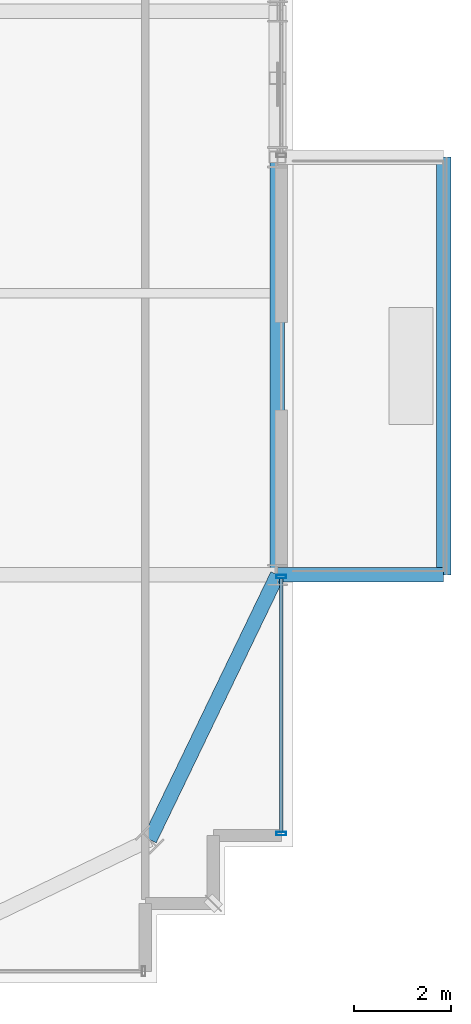
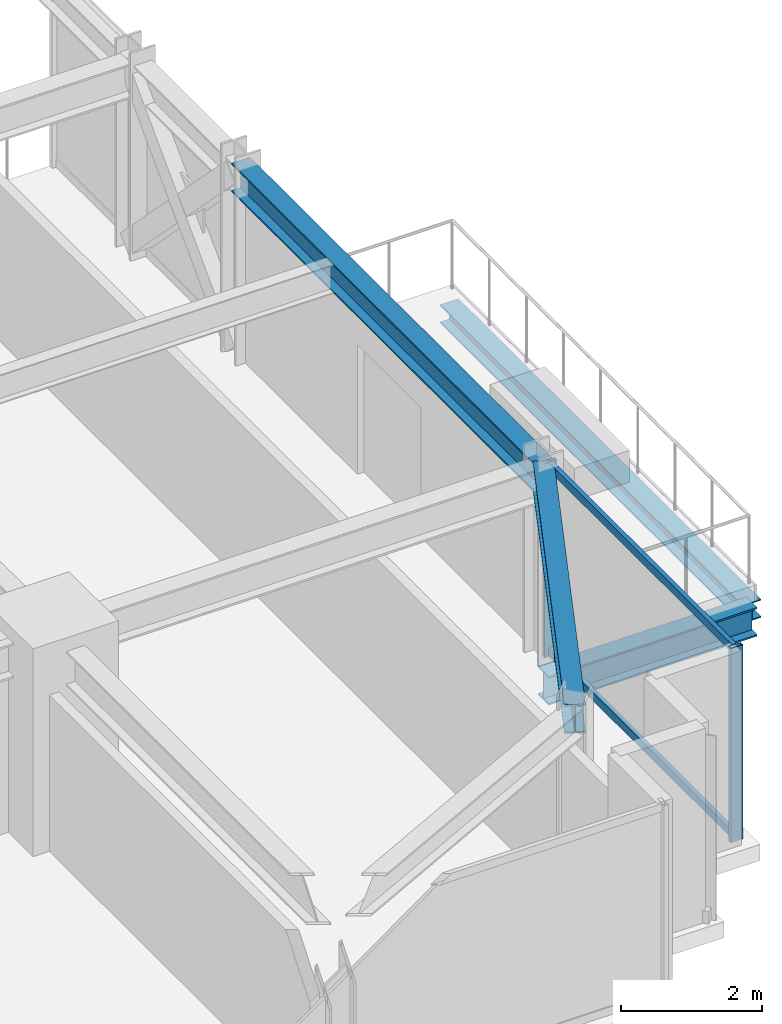
# One storey, part 18 of 47: 4 beams, 4 members, 1 element without a shape of its own.
"""IFC4 building model written with IfcOpenShell, lengths in metres."""

from ifc_helpers import new_model, si_unit, direction, frame, origin, origin_2d, place, context, subcontext, project, spatial, hollow_rectangle, i_section, extrude, source, transform, mapped, material, material_profile, profile_set, type_object, element, aggregate, save


model = new_model("IFC4")

# Units and contexts
model_context = context("Model", 3, precision=1e-05, world=origin(), true_north=direction((0.0, 1.0)))
body_context = subcontext(model_context, "Body", "Model", "MODEL_VIEW")
ifc_project = project(units=[si_unit("LENGTHUNIT", "METRE"), si_unit("AREAUNIT", "SQUARE_METRE"), si_unit("VOLUMEUNIT", "CUBIC_METRE"), si_unit("PLANEANGLEUNIT", "RADIAN"), si_unit("MASSUNIT", "GRAM", prefix="KILO")], contexts=[model_context])

# Site, building, storey
site_placement = place(None, origin())
site = spatial("IfcSite", under=ifc_project, at=site_placement, CompositionType="ELEMENT")
building_placement = place(site_placement, origin())
building = spatial("IfcBuilding", under=site, at=building_placement, Name="Nahalor Promenade Grand Hotel", CompositionType="ELEMENT")
storey_placement = place(building_placement, frame((0.0, 0.0, 68.89990234375)))
storey = spatial("IfcBuildingStorey", under=building, at=storey_placement, Name="L16", CompositionType="ELEMENT", Elevation=68.89990234375)

# Beams
ifc_material_1 = material(Name="Steel S355JR", Category="steel")
ifc_material_profile_1 = material_profile(ifc_material_1, i_section(OverallWidth=0.3, OverallDepth=0.32, WebThickness=0.0115, FlangeThickness=0.0205, at=origin_2d()), Name="HEB 320")
ifc_profile_set_1 = profile_set([ifc_material_profile_1], Name="Steel S355JR")
beam_type_1 = type_object("IfcBeamType", Name="Beam-BalcEdge-HEB320", PredefinedType="SPANDREL", material=ifc_profile_set_1)
shared_shape_1 = source(origin(), body_context, "Body", "SweptSolid", [
    extrude(i_section(OverallWidth=0.3, OverallDepth=0.32, WebThickness=0.0115, FlangeThickness=0.0205, at=origin_2d()), origin(), (0.0, 0.0, 1.0), 8.60009765625),
])
beam_1_placement = place(storey_placement, frame((28.5, -17.0, -0.43994140625), z_axis=(0.0, 1.0, 0.0), x_axis=(-1.0, 0.0, 0.0)))
element("IfcBeam", 1, at=beam_1_placement, inside=storey, type_object=beam_type_1, Name="BM-L16-BC-02-F", PredefinedType="SPANDREL", context=body_context, shape_type="MappedRepresentation", body=[
    mapped(shared_shape_1, transform((0.0, 0.0, 0.0), scale=1.0)),
])
ifc_material_profile_2 = material_profile(ifc_material_1, i_section(OverallWidth=0.3, OverallDepth=0.5, WebThickness=0.0145, FlangeThickness=0.028, at=origin_2d()), Name="HEB 500")
ifc_profile_set_2 = profile_set([ifc_material_profile_2], Name="Steel S355JR")
beam_type_2 = type_object("IfcBeamType", Name="Beam-Outrigger-HEB500", PredefinedType="BEAM", material=ifc_profile_set_2)
shared_shape_2 = source(origin(), body_context, "Body", "SweptSolid", [
    extrude(i_section(OverallWidth=0.3, OverallDepth=0.5, WebThickness=0.0145, FlangeThickness=0.028, at=origin_2d()), origin(), (0.0, 0.0, 1.0), 3.419921875),
])
beam_2_placement = place(storey_placement, frame((25.080078125, -17.0, -0.52978515625), z_axis=(1.0, 0.0, 0.0), x_axis=(0.0, 1.0, 0.0)))
element("IfcBeam", 2, at=beam_2_placement, inside=storey, type_object=beam_type_2, Name="BM-L16-BC-02-1", PredefinedType="BEAM", context=body_context, shape_type="MappedRepresentation", body=[
    mapped(shared_shape_2, transform((0.0, 0.0, 0.0), scale=1.0)),
])
ifc_material_profile_3 = material_profile(ifc_material_1, i_section(OverallWidth=0.3, OverallDepth=0.5, WebThickness=0.0145, FlangeThickness=0.028, at=origin_2d()), Name="HEB 500")
ifc_profile_set_3 = profile_set([ifc_material_profile_3], Name="Steel S355JR")
beam_type_3 = type_object("IfcBeamType", Name="Beam-Spandrel-HEB500", PredefinedType="SPANDREL", material=ifc_profile_set_3)
shared_shape_3 = source(origin(), body_context, "Body", "SweptSolid", [
    extrude(i_section(OverallWidth=0.3, OverallDepth=0.5, WebThickness=0.0145, FlangeThickness=0.028, at=origin_2d()), origin(), (0.0, 0.0, 1.0), 8.60009765625),
])
beam_3_placement = place(storey_placement, frame((25.080078125, -17.0, 3.1201171875), z_axis=(0.0, 1.0, 0.0), x_axis=(-1.0, 0.0, 0.0)))
element("IfcBeam", 3, at=beam_3_placement, inside=storey, type_object=beam_type_3, Name="BM-L16-SP-E-0", PredefinedType="SPANDREL", context=body_context, shape_type="MappedRepresentation", body=[
    mapped(shared_shape_3, transform((0.0, 0.0, 0.0), scale=1.0)),
])
shared_shape_4 = source(origin(), body_context, "Body", "SweptSolid", [
    extrude(i_section(OverallWidth=0.3, OverallDepth=0.5, WebThickness=0.0145, FlangeThickness=0.028, at=origin_2d()), origin(), (0.0, 0.0, 1.0), 6.051513671875),
])
beam_4_placement = place(storey_placement, frame((22.449951171875, -22.449951171875, 3.1201171875), z_axis=(0.434630596492, 0.900608818852, 0.0), x_axis=(-0.900608818852, 0.434630596492, 0.0)))
element("IfcBeam", 4, at=beam_4_placement, inside=storey, type_object=beam_type_3, Name="BM-L16-SPC-SE-2", PredefinedType="SPANDREL", context=body_context, shape_type="MappedRepresentation", body=[
    mapped(shared_shape_4, transform((0.0, 0.0, 0.0), scale=1.0)),
])

# Curtain wall, members
ifc_material_2 = material(Name="Anodised Bronze Aluminium EN AW-6063 T6", Category="aluminium")
curtain_wall_type = type_object("IfcCurtainWallType", Name="CW3 Elliptical-Void Collar Unitised Curtain Wall", PredefinedType="USERDEFINED", material=ifc_material_2)
curtain_wall_placement = place(storey_placement, origin())
curtain_wall = element("IfcCurtainWall", 5, at=curtain_wall_placement, inside=storey, type_object=curtain_wall_type, Name="L16 Curtain Wall CW-L16-E-1", ObjectType="UNITISED_CURTAIN_WALL", PredefinedType="USERDEFINED")
ifc_material_profile_4 = material_profile(ifc_material_2, hollow_rectangle(XDim=0.07, YDim=0.14, WallThickness=0.004, at=origin_2d()), Name="CWT 70x140x4")
ifc_profile_set_4 = profile_set([ifc_material_profile_4], Name="Anodised Bronze Aluminium EN AW-6063 T6")
member_type_1 = type_object("IfcMemberType", Name="CWT3 Void Collar Transom 70x140", PredefinedType="USERDEFINED", material=ifc_profile_set_4)
shared_shape_5 = source(origin(), body_context, "Body", "SweptSolid", [
    extrude(hollow_rectangle(XDim=0.07, YDim=0.14, WallThickness=0.004, at=origin_2d()), origin(), (0.0, 0.0, 1.0), 5.219970703125),
])
member_1_placement = place(storey_placement, frame((25.159912109375, -22.2900390625, 0.070068359375), z_axis=(0.0, 1.0, 0.0), x_axis=(-1.0, 0.0, 0.0)))
member_1 = element("IfcMember", 6, at=member_1_placement, type_object=member_type_1, Name="CW-L16-E-1 Transom 0-0", ObjectType="TRANSOM", PredefinedType="USERDEFINED", context=body_context, shape_type="MappedRepresentation", body=[
    mapped(shared_shape_5, transform((0.0, 0.0, 0.0), scale=1.0)),
])
member_2_placement = place(storey_placement, frame((25.159912109375, -22.2900390625, 3.300048828125), z_axis=(0.0, 1.0, 0.0), x_axis=(-1.0, 0.0, 0.0)))
member_2 = element("IfcMember", 7, at=member_2_placement, type_object=member_type_1, Name="CW-L16-E-1 Transom 0-1", ObjectType="TRANSOM", PredefinedType="USERDEFINED", context=body_context, shape_type="MappedRepresentation", body=[
    mapped(shared_shape_5, transform((0.0, 0.0, 0.0), scale=1.0)),
])
ifc_material_profile_5 = material_profile(ifc_material_2, hollow_rectangle(XDim=0.07, YDim=0.2, WallThickness=0.005, at=origin_2d()), Name="CWM 70x200x5")
ifc_profile_set_5 = profile_set([ifc_material_profile_5], Name="Anodised Bronze Aluminium EN AW-6063 T6")
member_type_2 = type_object("IfcMemberType", Name="CWM3 Void Collar Mullion 70x200", PredefinedType="MULLION", material=ifc_profile_set_5)
shared_shape_6 = source(origin(), body_context, "Body", "SweptSolid", [
    extrude(hollow_rectangle(XDim=0.07, YDim=0.2, WallThickness=0.005, at=origin_2d()), origin(), (0.0, 0.0, 1.0), 3.3701171875),
])
member_3_placement = place(storey_placement, frame((25.159912109375, -22.324951171875, 0.0), z_axis=(0.0, 0.0, 1.0), x_axis=(0.0, 1.0, 0.0)))
member_3 = element("IfcMember", 8, at=member_3_placement, type_object=member_type_2, Name="CW-L16-E-1 Mullion 0", PredefinedType="MULLION", context=body_context, shape_type="MappedRepresentation", body=[
    mapped(shared_shape_6, transform((0.0, 0.0, 0.0), scale=1.0)),
])
member_4_placement = place(storey_placement, frame((25.159912109375, -17.034912109375, 0.0), z_axis=(0.0, 0.0, 1.0), x_axis=(0.0, 1.0, 0.0)))
member_4 = element("IfcMember", 9, at=member_4_placement, type_object=member_type_2, Name="CW-L16-E-1 Mullion 1", PredefinedType="MULLION", context=body_context, shape_type="MappedRepresentation", body=[
    mapped(shared_shape_6, transform((0.0, 0.0, 0.0), scale=1.0)),
])
aggregate(curtain_wall, [member_3, member_4, member_1, member_2])

save(model, "model.ifc")
